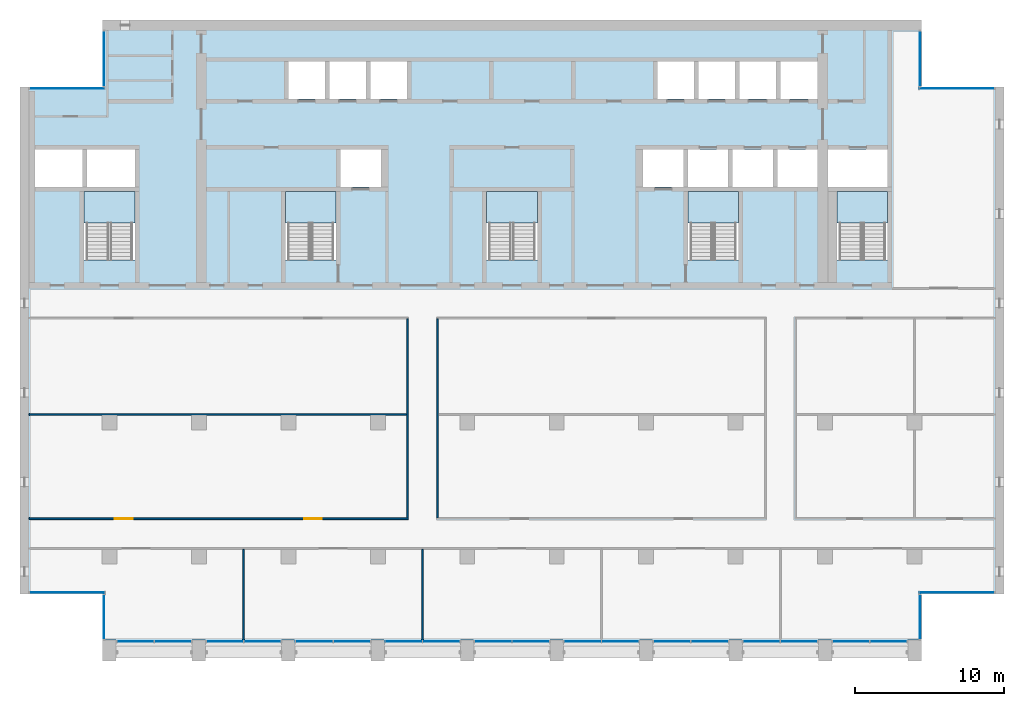
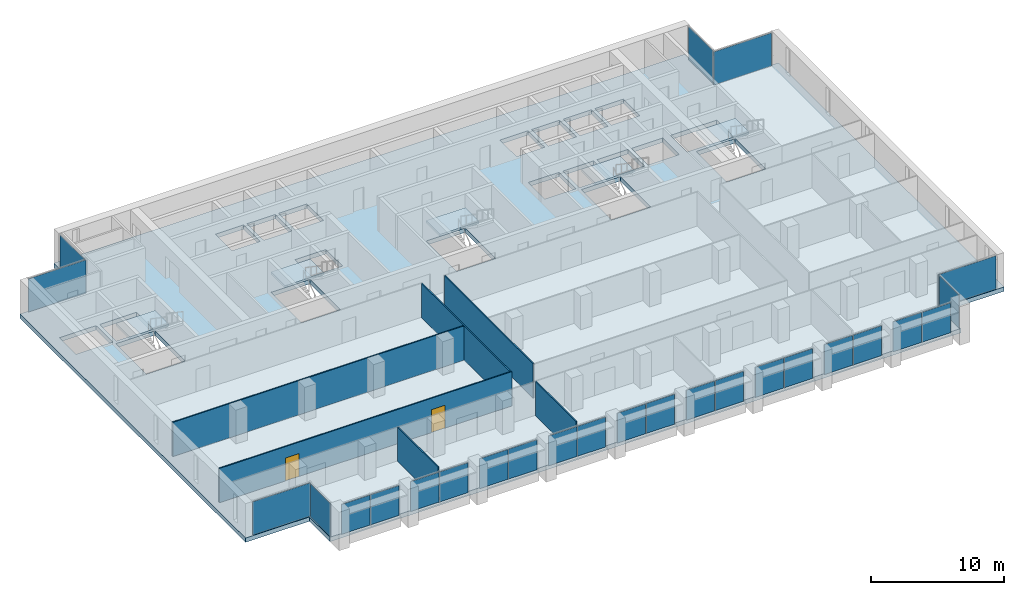
# One storey, part 7 of 16: 26 plates, 6 slabs, 6 walls, 2 doors, 2 openings, 22 elements without a shape of their own.
"""IFC4 building model written with IfcOpenShell, lengths in metres."""

from ifc_helpers import new_model, si_unit, direction, frame, frame_2d, origin, origin_2d, place, context, subcontext, project, spatial, polyline, rectangle, outline, extrude, material, layer, layer_set, type_object, element, fill, aggregate, save


model = new_model("IFC4")

# Units and contexts
model_context = context("Model", 3, precision=1e-05, world=origin(), true_north=direction((0.0, 1.0)))
body_context = subcontext(model_context, "Body", "Model", "MODEL_VIEW")
ifc_project = project(units=[si_unit("LENGTHUNIT", "METRE"), si_unit("AREAUNIT", "SQUARE_METRE"), si_unit("VOLUMEUNIT", "CUBIC_METRE"), si_unit("PLANEANGLEUNIT", "RADIAN"), si_unit("MASSUNIT", "GRAM", prefix="KILO")], contexts=[model_context])

# Site, building, storey
site_placement = place(None, origin())
site = spatial("IfcSite", under=ifc_project, at=site_placement, CompositionType="ELEMENT")
building_placement = place(site_placement, origin())
building = spatial("IfcBuilding", under=site, at=building_placement, Name="Calvaro Tower", CompositionType="ELEMENT")
storey_placement = place(building_placement, frame((0.0, 0.0, 223.0)))
storey = spatial("IfcBuildingStorey", under=building, at=storey_placement, Name="L56", CompositionType="ELEMENT", Elevation=223.0)

# Slab
ifc_material_1 = material(Name="Concrete C40/50", Category="concrete")
ifc_layer_1 = layer(ifc_material_1, 0.39990234375)
ifc_layer_set_1 = layer_set([ifc_layer_1], Name="Concrete C40/50")
slab_type_1 = type_object("IfcSlabType", Name="Floor slab 400 C40/50", PredefinedType="FLOOR", material=ifc_layer_set_1)
slab_1_placement = place(storey_placement, frame((0.0, 0.0, -0.39990234375)))
element("IfcSlab", 1, at=slab_1_placement, inside=storey, type_object=slab_type_1, Name="Floor slab", PredefinedType="FLOOR", context=body_context, shape_type="SweptSolid", body=[
    extrude(outline(polyline([(66.449951171875, 7.5), (66.449951171875, 4.39990234375), (11.550048828125, 4.39990234375), (11.550048828125, 7.5), (6.0, 7.5), (6.0, 41.5), (11.550048828125, 41.5), (11.550048828125, 46.0), (66.449951171875, 46.0), (66.449951171875, 41.5), (72.0, 41.5), (72.0, 7.5), (66.449951171875, 7.5)]), holes=[polyline([(10.300048828125, 29.909912109375), (10.300048828125, 34.5), (12.0, 34.5), (13.699951171875, 34.5), (13.699951171875, 29.909912109375), (12.0, 29.909912109375), (10.300048828125, 29.909912109375)]), polyline([(23.800048828125, 29.909912109375), (23.800048828125, 34.5), (25.5, 34.5), (27.199951171875, 34.5), (27.199951171875, 29.909912109375), (25.5, 29.909912109375), (23.800048828125, 29.909912109375)]), polyline([(37.300048828125, 29.909912109375), (37.300048828125, 34.5), (39.0, 34.5), (40.699951171875, 34.5), (40.699951171875, 29.909912109375), (39.0, 29.909912109375), (37.300048828125, 29.909912109375)]), polyline([(50.800048828125, 29.909912109375), (50.800048828125, 34.5), (52.5, 34.5), (54.199951171875, 34.5), (54.199951171875, 29.909912109375), (52.5, 29.909912109375), (50.800048828125, 29.909912109375)]), polyline([(60.800048828125, 29.909912109375), (60.800048828125, 34.5), (62.5, 34.5), (64.199951171875, 34.5), (64.199951171875, 29.909912109375), (62.5, 29.909912109375), (60.800048828125, 29.909912109375)]), polyline([(50.800048828125, 34.800048828125), (53.5, 34.800048828125), (53.5, 37.300048828125), (50.800048828125, 37.300048828125), (50.800048828125, 34.800048828125)]), polyline([(53.800048828125, 34.800048828125), (56.5, 34.800048828125), (56.5, 37.300048828125), (53.800048828125, 37.300048828125), (53.800048828125, 34.800048828125)]), polyline([(56.800048828125, 34.800048828125), (59.5, 34.800048828125), (59.5, 37.300048828125), (56.800048828125, 37.300048828125), (56.800048828125, 34.800048828125)]), polyline([(24.0, 40.699951171875), (26.449951171875, 40.699951171875), (26.449951171875, 43.199951171875), (24.0, 43.199951171875), (24.0, 40.699951171875)]), polyline([(26.75, 40.699951171875), (29.199951171875, 40.699951171875), (29.199951171875, 43.199951171875), (26.75, 43.199951171875), (26.75, 40.699951171875)]), polyline([(29.5, 40.699951171875), (31.949951171875, 40.699951171875), (31.949951171875, 43.199951171875), (29.5, 43.199951171875), (29.5, 40.699951171875)]), polyline([(48.75, 40.699951171875), (51.199951171875, 40.699951171875), (51.199951171875, 43.199951171875), (48.75, 43.199951171875), (48.75, 40.699951171875)]), polyline([(51.5, 40.699951171875), (53.949951171875, 40.699951171875), (53.949951171875, 43.199951171875), (51.5, 43.199951171875), (51.5, 40.699951171875)]), polyline([(54.25, 40.699951171875), (56.699951171875, 40.699951171875), (56.699951171875, 43.199951171875), (54.25, 43.199951171875), (54.25, 40.699951171875)]), polyline([(57.0, 40.699951171875), (59.5, 40.699951171875), (59.5, 43.199951171875), (57.0, 43.199951171875), (57.0, 40.699951171875)]), polyline([(7.0, 34.800048828125), (10.199951171875, 34.800048828125), (10.199951171875, 37.300048828125), (7.0, 37.300048828125), (7.0, 34.800048828125)]), polyline([(10.5, 34.800048828125), (13.699951171875, 34.800048828125), (13.699951171875, 37.300048828125), (10.5, 37.300048828125), (10.5, 34.800048828125)]), polyline([(60.199951171875, 34.800048828125), (64.199951171875, 34.800048828125), (64.199951171875, 37.300048828125), (60.199951171875, 37.300048828125), (60.199951171875, 34.800048828125)]), polyline([(27.5, 34.800048828125), (30.199951171875, 34.800048828125), (30.199951171875, 37.300048828125), (27.5, 37.300048828125), (27.5, 34.800048828125)]), polyline([(47.800048828125, 34.800048828125), (50.5, 34.800048828125), (50.5, 37.300048828125), (47.800048828125, 37.300048828125), (47.800048828125, 34.800048828125)])]), origin(), (0.0, 0.0, 1.0), 0.39990234375),
])

# Curtain wall, plates
ifc_material_2 = material(Name="Anodised aluminium", Category="aluminium")
curtain_wall_type = type_object("IfcCurtainWallType", Name="Office curtain wall, upper zone", PredefinedType="NOTDEFINED", material=ifc_material_2)
curtain_wall_1_placement = place(storey_placement, origin())
curtain_wall_1 = element("IfcCurtainWall", 2, at=curtain_wall_1_placement, inside=storey, type_object=curtain_wall_type, Name="CW3 south curtain wall", PredefinedType="NOTDEFINED")
ifc_material_3 = material(Name="Glass", Category="glass")
ifc_layer_2 = layer(ifc_material_3, 0.035888671875)
ifc_layer_set_2 = layer_set([ifc_layer_2], Name="Glass")
plate_type = type_object("IfcPlateType", Name="Glass panel S3 36", PredefinedType="CURTAIN_PANEL", material=ifc_layer_set_2)
plate_1_placement = place(storey_placement, frame((13.739990234375, 4.31005859375, 0.0), z_axis=(0.0, 0.0, 1.0), x_axis=(1.0, 0.0, 0.0)))
plate_1 = element("IfcPlate", 3, at=plate_1_placement, type_object=plate_type, Name="CW3 glass panel 1.1", PredefinedType="CURTAIN_PANEL", context=body_context, shape_type="SweptSolid", body=[
    extrude(rectangle(XDim=2.4599609375, YDim=0.035888671875, at=origin_2d()), origin(), (0.0, 0.0, 1.0), 2.75),
])
plate_2_placement = place(storey_placement, frame((16.260009765625, 4.31005859375, 0.0), z_axis=(0.0, 0.0, 1.0), x_axis=(1.0, 0.0, 0.0)))
plate_2 = element("IfcPlate", 4, at=plate_2_placement, type_object=plate_type, Name="CW3 glass panel 2.1", PredefinedType="CURTAIN_PANEL", context=body_context, shape_type="SweptSolid", body=[
    extrude(rectangle(XDim=2.4599609375, YDim=0.035888671875, at=origin_2d()), origin(), (0.0, 0.0, 1.0), 2.75),
])
aggregate(curtain_wall_1, [plate_1, plate_2])

curtain_wall_2_placement = place(storey_placement, origin())
curtain_wall_2 = element("IfcCurtainWall", 5, at=curtain_wall_2_placement, inside=storey, type_object=curtain_wall_type, Name="CW3 south curtain wall", PredefinedType="NOTDEFINED")
plate_3_placement = place(storey_placement, frame((19.739990234375, 4.31005859375, 0.0), z_axis=(0.0, 0.0, 1.0), x_axis=(1.0, 0.0, 0.0)))
plate_3 = element("IfcPlate", 6, at=plate_3_placement, type_object=plate_type, Name="CW3 glass panel 1.1", PredefinedType="CURTAIN_PANEL", context=body_context, shape_type="SweptSolid", body=[
    extrude(rectangle(XDim=2.4599609375, YDim=0.035888671875, at=origin_2d()), origin(), (0.0, 0.0, 1.0), 2.75),
])
plate_4_placement = place(storey_placement, frame((22.260009765625, 4.31005859375, 0.0), z_axis=(0.0, 0.0, 1.0), x_axis=(1.0, 0.0, 0.0)))
plate_4 = element("IfcPlate", 7, at=plate_4_placement, type_object=plate_type, Name="CW3 glass panel 2.1", PredefinedType="CURTAIN_PANEL", context=body_context, shape_type="SweptSolid", body=[
    extrude(rectangle(XDim=2.4599609375, YDim=0.035888671875, at=origin_2d()), origin(), (0.0, 0.0, 1.0), 2.75),
])
aggregate(curtain_wall_2, [plate_3, plate_4])

curtain_wall_3_placement = place(storey_placement, origin())
curtain_wall_3 = element("IfcCurtainWall", 8, at=curtain_wall_3_placement, inside=storey, type_object=curtain_wall_type, Name="CW3 south curtain wall", PredefinedType="NOTDEFINED")
plate_5_placement = place(storey_placement, frame((25.739990234375, 4.31005859375, 0.0), z_axis=(0.0, 0.0, 1.0), x_axis=(1.0, 0.0, 0.0)))
plate_5 = element("IfcPlate", 9, at=plate_5_placement, type_object=plate_type, Name="CW3 glass panel 1.1", PredefinedType="CURTAIN_PANEL", context=body_context, shape_type="SweptSolid", body=[
    extrude(rectangle(XDim=2.4599609375, YDim=0.035888671875, at=origin_2d()), origin(), (0.0, 0.0, 1.0), 2.75),
])
plate_6_placement = place(storey_placement, frame((28.260009765625, 4.31005859375, 0.0), z_axis=(0.0, 0.0, 1.0), x_axis=(1.0, 0.0, 0.0)))
plate_6 = element("IfcPlate", 10, at=plate_6_placement, type_object=plate_type, Name="CW3 glass panel 2.1", PredefinedType="CURTAIN_PANEL", context=body_context, shape_type="SweptSolid", body=[
    extrude(rectangle(XDim=2.4599609375, YDim=0.035888671875, at=origin_2d()), origin(), (0.0, 0.0, 1.0), 2.75),
])
aggregate(curtain_wall_3, [plate_5, plate_6])

curtain_wall_4_placement = place(storey_placement, origin())
curtain_wall_4 = element("IfcCurtainWall", 11, at=curtain_wall_4_placement, inside=storey, type_object=curtain_wall_type, Name="CW3 south curtain wall", PredefinedType="NOTDEFINED")
plate_7_placement = place(storey_placement, frame((31.739990234375, 4.31005859375, 0.0), z_axis=(0.0, 0.0, 1.0), x_axis=(1.0, 0.0, 0.0)))
plate_7 = element("IfcPlate", 12, at=plate_7_placement, type_object=plate_type, Name="CW3 glass panel 1.1", PredefinedType="CURTAIN_PANEL", context=body_context, shape_type="SweptSolid", body=[
    extrude(rectangle(XDim=2.4599609375, YDim=0.035888671875, at=origin_2d()), origin(), (0.0, 0.0, 1.0), 2.75),
])
plate_8_placement = place(storey_placement, frame((34.260009765625, 4.31005859375, 0.0), z_axis=(0.0, 0.0, 1.0), x_axis=(1.0, 0.0, 0.0)))
plate_8 = element("IfcPlate", 13, at=plate_8_placement, type_object=plate_type, Name="CW3 glass panel 2.1", PredefinedType="CURTAIN_PANEL", context=body_context, shape_type="SweptSolid", body=[
    extrude(rectangle(XDim=2.4599609375, YDim=0.035888671875, at=origin_2d()), origin(), (0.0, 0.0, 1.0), 2.75),
])
aggregate(curtain_wall_4, [plate_7, plate_8])

curtain_wall_5_placement = place(storey_placement, origin())
curtain_wall_5 = element("IfcCurtainWall", 14, at=curtain_wall_5_placement, inside=storey, type_object=curtain_wall_type, Name="CW3 south curtain wall", PredefinedType="NOTDEFINED")
plate_9_placement = place(storey_placement, frame((37.739990234375, 4.31005859375, 0.0), z_axis=(0.0, 0.0, 1.0), x_axis=(1.0, 0.0, 0.0)))
plate_9 = element("IfcPlate", 15, at=plate_9_placement, type_object=plate_type, Name="CW3 glass panel 1.1", PredefinedType="CURTAIN_PANEL", context=body_context, shape_type="SweptSolid", body=[
    extrude(rectangle(XDim=2.4599609375, YDim=0.035888671875, at=origin_2d()), origin(), (0.0, 0.0, 1.0), 2.75),
])
plate_10_placement = place(storey_placement, frame((40.260009765625, 4.31005859375, 0.0), z_axis=(0.0, 0.0, 1.0), x_axis=(1.0, 0.0, 0.0)))
plate_10 = element("IfcPlate", 16, at=plate_10_placement, type_object=plate_type, Name="CW3 glass panel 2.1", PredefinedType="CURTAIN_PANEL", context=body_context, shape_type="SweptSolid", body=[
    extrude(rectangle(XDim=2.4599609375, YDim=0.035888671875, at=origin_2d()), origin(), (0.0, 0.0, 1.0), 2.75),
])
aggregate(curtain_wall_5, [plate_9, plate_10])

curtain_wall_6_placement = place(storey_placement, origin())
curtain_wall_6 = element("IfcCurtainWall", 17, at=curtain_wall_6_placement, inside=storey, type_object=curtain_wall_type, Name="CW3 south curtain wall", PredefinedType="NOTDEFINED")
plate_11_placement = place(storey_placement, frame((43.739990234375, 4.31005859375, 0.0), z_axis=(0.0, 0.0, 1.0), x_axis=(1.0, 0.0, 0.0)))
plate_11 = element("IfcPlate", 18, at=plate_11_placement, type_object=plate_type, Name="CW3 glass panel 1.1", PredefinedType="CURTAIN_PANEL", context=body_context, shape_type="SweptSolid", body=[
    extrude(rectangle(XDim=2.4599609375, YDim=0.035888671875, at=origin_2d()), origin(), (0.0, 0.0, 1.0), 2.75),
])
plate_12_placement = place(storey_placement, frame((46.260009765625, 4.31005859375, 0.0), z_axis=(0.0, 0.0, 1.0), x_axis=(1.0, 0.0, 0.0)))
plate_12 = element("IfcPlate", 19, at=plate_12_placement, type_object=plate_type, Name="CW3 glass panel 2.1", PredefinedType="CURTAIN_PANEL", context=body_context, shape_type="SweptSolid", body=[
    extrude(rectangle(XDim=2.4599609375, YDim=0.035888671875, at=origin_2d()), origin(), (0.0, 0.0, 1.0), 2.75),
])
aggregate(curtain_wall_6, [plate_11, plate_12])

curtain_wall_7_placement = place(storey_placement, origin())
curtain_wall_7 = element("IfcCurtainWall", 20, at=curtain_wall_7_placement, inside=storey, type_object=curtain_wall_type, Name="CW3 south curtain wall", PredefinedType="NOTDEFINED")
plate_13_placement = place(storey_placement, frame((49.739990234375, 4.31005859375, 0.0), z_axis=(0.0, 0.0, 1.0), x_axis=(1.0, 0.0, 0.0)))
plate_13 = element("IfcPlate", 21, at=plate_13_placement, type_object=plate_type, Name="CW3 glass panel 1.1", PredefinedType="CURTAIN_PANEL", context=body_context, shape_type="SweptSolid", body=[
    extrude(rectangle(XDim=2.4599609375, YDim=0.035888671875, at=origin_2d()), origin(), (0.0, 0.0, 1.0), 2.75),
])
plate_14_placement = place(storey_placement, frame((52.260009765625, 4.31005859375, 0.0), z_axis=(0.0, 0.0, 1.0), x_axis=(1.0, 0.0, 0.0)))
plate_14 = element("IfcPlate", 22, at=plate_14_placement, type_object=plate_type, Name="CW3 glass panel 2.1", PredefinedType="CURTAIN_PANEL", context=body_context, shape_type="SweptSolid", body=[
    extrude(rectangle(XDim=2.4599609375, YDim=0.035888671875, at=origin_2d()), origin(), (0.0, 0.0, 1.0), 2.75),
])
aggregate(curtain_wall_7, [plate_13, plate_14])

curtain_wall_8_placement = place(storey_placement, origin())
curtain_wall_8 = element("IfcCurtainWall", 23, at=curtain_wall_8_placement, inside=storey, type_object=curtain_wall_type, Name="CW3 south curtain wall", PredefinedType="NOTDEFINED")
plate_15_placement = place(storey_placement, frame((55.739990234375, 4.31005859375, 0.0), z_axis=(0.0, 0.0, 1.0), x_axis=(1.0, 0.0, 0.0)))
plate_15 = element("IfcPlate", 24, at=plate_15_placement, type_object=plate_type, Name="CW3 glass panel 1.1", PredefinedType="CURTAIN_PANEL", context=body_context, shape_type="SweptSolid", body=[
    extrude(rectangle(XDim=2.4599609375, YDim=0.035888671875, at=origin_2d()), origin(), (0.0, 0.0, 1.0), 2.75),
])
plate_16_placement = place(storey_placement, frame((58.260009765625, 4.31005859375, 0.0), z_axis=(0.0, 0.0, 1.0), x_axis=(1.0, 0.0, 0.0)))
plate_16 = element("IfcPlate", 25, at=plate_16_placement, type_object=plate_type, Name="CW3 glass panel 2.1", PredefinedType="CURTAIN_PANEL", context=body_context, shape_type="SweptSolid", body=[
    extrude(rectangle(XDim=2.4599609375, YDim=0.035888671875, at=origin_2d()), origin(), (0.0, 0.0, 1.0), 2.75),
])
aggregate(curtain_wall_8, [plate_15, plate_16])

curtain_wall_9_placement = place(storey_placement, origin())
curtain_wall_9 = element("IfcCurtainWall", 26, at=curtain_wall_9_placement, inside=storey, type_object=curtain_wall_type, Name="CW3 south curtain wall", PredefinedType="NOTDEFINED")
plate_17_placement = place(storey_placement, frame((61.739990234375, 4.31005859375, 0.0), z_axis=(0.0, 0.0, 1.0), x_axis=(1.0, 0.0, 0.0)))
plate_17 = element("IfcPlate", 27, at=plate_17_placement, type_object=plate_type, Name="CW3 glass panel 1.1", PredefinedType="CURTAIN_PANEL", context=body_context, shape_type="SweptSolid", body=[
    extrude(rectangle(XDim=2.4599609375, YDim=0.035888671875, at=origin_2d()), origin(), (0.0, 0.0, 1.0), 2.75),
])
plate_18_placement = place(storey_placement, frame((64.260009765625, 4.31005859375, 0.0), z_axis=(0.0, 0.0, 1.0), x_axis=(1.0, 0.0, 0.0)))
plate_18 = element("IfcPlate", 28, at=plate_18_placement, type_object=plate_type, Name="CW3 glass panel 2.1", PredefinedType="CURTAIN_PANEL", context=body_context, shape_type="SweptSolid", body=[
    extrude(rectangle(XDim=2.4599609375, YDim=0.035888671875, at=origin_2d()), origin(), (0.0, 0.0, 1.0), 2.75),
])
aggregate(curtain_wall_9, [plate_17, plate_18])

# Curtain wall, plate
curtain_wall_10_placement = place(storey_placement, origin())
curtain_wall_10 = element("IfcCurtainWall", 29, at=curtain_wall_10_placement, inside=storey, type_object=curtain_wall_type, Name="CW3 corner curtain wall", PredefinedType="NOTDEFINED")
plate_19_placement = place(storey_placement, frame((11.639892578125, 5.949951171875, 0.0), z_axis=(0.0, 0.0, 1.0), x_axis=(0.0, 1.0, 0.0)))
plate_19 = element("IfcPlate", 30, at=plate_19_placement, type_object=plate_type, Name="CW3 glass panel 1.1", PredefinedType="CURTAIN_PANEL", context=body_context, shape_type="SweptSolid", body=[
    extrude(rectangle(XDim=2.97998046875, YDim=0.035888671875, at=origin_2d()), origin(), (0.0, 0.0, 1.0), 3.050048828125),
])
aggregate(curtain_wall_10, [plate_19])

curtain_wall_11_placement = place(storey_placement, origin())
curtain_wall_11 = element("IfcCurtainWall", 31, at=curtain_wall_11_placement, inside=storey, type_object=curtain_wall_type, Name="CW3 corner curtain wall", PredefinedType="NOTDEFINED")
plate_20_placement = place(storey_placement, frame((9.1650390625, 7.590087890625, 0.0), z_axis=(0.0, 0.0, 1.0), x_axis=(1.0, 0.0, 0.0)))
plate_20 = element("IfcPlate", 32, at=plate_20_placement, type_object=plate_type, Name="CW3 glass panel 1.1", PredefinedType="CURTAIN_PANEL", context=body_context, shape_type="SweptSolid", body=[
    extrude(rectangle(XDim=5.010009765625, YDim=0.035888671875, at=origin_2d()), origin(), (0.0, 0.0, 1.0), 3.050048828125),
])
aggregate(curtain_wall_11, [plate_20])

curtain_wall_12_placement = place(storey_placement, origin())
curtain_wall_12 = element("IfcCurtainWall", 33, at=curtain_wall_12_placement, inside=storey, type_object=curtain_wall_type, Name="CW3 corner curtain wall", PredefinedType="NOTDEFINED")
plate_21_placement = place(storey_placement, frame((11.639892578125, 43.39990234375, 0.0), z_axis=(0.0, 0.0, 1.0), x_axis=(0.0, 1.0, 0.0)))
plate_21 = element("IfcPlate", 34, at=plate_21_placement, type_object=plate_type, Name="CW3 glass panel 1.1", PredefinedType="CURTAIN_PANEL", context=body_context, shape_type="SweptSolid", body=[
    extrude(rectangle(XDim=3.679931640625, YDim=0.035888671875, at=origin_2d()), origin(), (0.0, 0.0, 1.0), 3.050048828125),
])
aggregate(curtain_wall_12, [plate_21])

curtain_wall_13_placement = place(storey_placement, origin())
curtain_wall_13 = element("IfcCurtainWall", 35, at=curtain_wall_13_placement, inside=storey, type_object=curtain_wall_type, Name="CW3 corner curtain wall", PredefinedType="NOTDEFINED")
plate_22_placement = place(storey_placement, frame((9.1650390625, 41.409912109375, 0.0), z_axis=(0.0, 0.0, 1.0), x_axis=(1.0, 0.0, 0.0)))
plate_22 = element("IfcPlate", 36, at=plate_22_placement, type_object=plate_type, Name="CW3 glass panel 1.1", PredefinedType="CURTAIN_PANEL", context=body_context, shape_type="SweptSolid", body=[
    extrude(rectangle(XDim=5.010009765625, YDim=0.035888671875, at=origin_2d()), origin(), (0.0, 0.0, 1.0), 3.050048828125),
])
aggregate(curtain_wall_13, [plate_22])

curtain_wall_14_placement = place(storey_placement, origin())
curtain_wall_14 = element("IfcCurtainWall", 37, at=curtain_wall_14_placement, inside=storey, type_object=curtain_wall_type, Name="CW3 corner curtain wall", PredefinedType="NOTDEFINED")
plate_23_placement = place(storey_placement, frame((66.360107421875, 5.949951171875, 0.0), z_axis=(0.0, 0.0, 1.0), x_axis=(0.0, 1.0, 0.0)))
plate_23 = element("IfcPlate", 38, at=plate_23_placement, type_object=plate_type, Name="CW3 glass panel 1.1", PredefinedType="CURTAIN_PANEL", context=body_context, shape_type="SweptSolid", body=[
    extrude(rectangle(XDim=2.97998046875, YDim=0.035888671875, at=origin_2d()), origin(), (0.0, 0.0, 1.0), 3.050048828125),
])
aggregate(curtain_wall_14, [plate_23])

curtain_wall_15_placement = place(storey_placement, origin())
curtain_wall_15 = element("IfcCurtainWall", 39, at=curtain_wall_15_placement, inside=storey, type_object=curtain_wall_type, Name="CW3 corner curtain wall", PredefinedType="NOTDEFINED")
plate_24_placement = place(storey_placement, frame((68.8349609375, 7.590087890625, 0.0), z_axis=(0.0, 0.0, 1.0), x_axis=(1.0, 0.0, 0.0)))
plate_24 = element("IfcPlate", 40, at=plate_24_placement, type_object=plate_type, Name="CW3 glass panel 1.1", PredefinedType="CURTAIN_PANEL", context=body_context, shape_type="SweptSolid", body=[
    extrude(rectangle(XDim=5.010009765625, YDim=0.035888671875, at=origin_2d()), origin(), (0.0, 0.0, 1.0), 3.050048828125),
])
aggregate(curtain_wall_15, [plate_24])

curtain_wall_16_placement = place(storey_placement, origin())
curtain_wall_16 = element("IfcCurtainWall", 41, at=curtain_wall_16_placement, inside=storey, type_object=curtain_wall_type, Name="CW3 corner curtain wall", PredefinedType="NOTDEFINED")
plate_25_placement = place(storey_placement, frame((66.360107421875, 43.39990234375, 0.0), z_axis=(0.0, 0.0, 1.0), x_axis=(0.0, 1.0, 0.0)))
plate_25 = element("IfcPlate", 42, at=plate_25_placement, type_object=plate_type, Name="CW3 glass panel 1.1", PredefinedType="CURTAIN_PANEL", context=body_context, shape_type="SweptSolid", body=[
    extrude(rectangle(XDim=3.679931640625, YDim=0.035888671875, at=origin_2d()), origin(), (0.0, 0.0, 1.0), 3.050048828125),
])
aggregate(curtain_wall_16, [plate_25])

curtain_wall_17_placement = place(storey_placement, origin())
curtain_wall_17 = element("IfcCurtainWall", 43, at=curtain_wall_17_placement, inside=storey, type_object=curtain_wall_type, Name="CW3 corner curtain wall", PredefinedType="NOTDEFINED")
plate_26_placement = place(storey_placement, frame((68.8349609375, 41.409912109375, 0.0), z_axis=(0.0, 0.0, 1.0), x_axis=(1.0, 0.0, 0.0)))
plate_26 = element("IfcPlate", 44, at=plate_26_placement, type_object=plate_type, Name="CW3 glass panel 1.1", PredefinedType="CURTAIN_PANEL", context=body_context, shape_type="SweptSolid", body=[
    extrude(rectangle(XDim=5.010009765625, YDim=0.035888671875, at=origin_2d()), origin(), (0.0, 0.0, 1.0), 3.050048828125),
])
aggregate(curtain_wall_17, [plate_26])

# Stair, slab
ifc_material_4 = material(Name="Concrete C40/50", Category="concrete")
stair_type = type_object("IfcStairType", Name="Exit stair 1400 2 flights", PredefinedType="HALF_TURN_STAIR", material=ifc_material_4)
stair_1_placement = place(storey_placement, origin())
stair_1 = element("IfcStair", 45, at=stair_1_placement, inside=storey, type_object=stair_type, Name="Exit stair S1", PredefinedType="HALF_TURN_STAIR")
ifc_material_5 = material(Name="Concrete C40/50", Category="concrete")
ifc_layer_3 = layer(ifc_material_5, 0.199951171875)
ifc_layer_set_3 = layer_set([ifc_layer_3], Name="Concrete C40/50")
slab_type_2 = type_object("IfcSlabType", Name="Stair landing", PredefinedType="LANDING", material=ifc_layer_set_3)
slab_2_placement = place(storey_placement, frame((0.0, 0.0, 1.675048828125)))
slab_2 = element("IfcSlab", 46, at=slab_2_placement, type_object=slab_type_2, Name="Exit stair 1, landing 1", PredefinedType="LANDING", context=body_context, shape_type="SweptSolid", body=[
    extrude(outline(polyline([(11.89990234375, 32.389892578125), (10.5, 32.389892578125), (10.5, 32.39990234375), (10.300048828125, 32.39990234375), (10.300048828125, 34.5), (10.5, 34.5), (11.89990234375, 34.5), (12.10009765625, 34.5), (13.5, 34.5), (13.699951171875, 34.5), (13.699951171875, 32.39990234375), (13.5, 32.39990234375), (13.5, 32.389892578125), (12.10009765625, 32.389892578125), (12.10009765625, 32.39990234375), (11.89990234375, 32.39990234375), (11.89990234375, 32.389892578125)])), origin(), (0.0, 0.0, 1.0), 0.199951171875),
])
aggregate(stair_1, [slab_2])

stair_2_placement = place(storey_placement, origin())
stair_2 = element("IfcStair", 47, at=stair_2_placement, inside=storey, type_object=stair_type, Name="Exit stair S2", PredefinedType="HALF_TURN_STAIR")
slab_3_placement = place(storey_placement, frame((0.0, 0.0, 1.675048828125)))
slab_3 = element("IfcSlab", 48, at=slab_3_placement, type_object=slab_type_2, Name="Exit stair 2, landing 1", PredefinedType="LANDING", context=body_context, shape_type="SweptSolid", body=[
    extrude(outline(polyline([(25.39990234375, 32.389892578125), (24.0, 32.389892578125), (24.0, 32.39990234375), (23.800048828125, 32.39990234375), (23.800048828125, 34.5), (24.0, 34.5), (25.39990234375, 34.5), (25.60009765625, 34.5), (27.0, 34.5), (27.199951171875, 34.5), (27.199951171875, 32.39990234375), (27.0, 32.39990234375), (27.0, 32.389892578125), (25.60009765625, 32.389892578125), (25.60009765625, 32.39990234375), (25.39990234375, 32.39990234375), (25.39990234375, 32.389892578125)])), origin(), (0.0, 0.0, 1.0), 0.199951171875),
])
aggregate(stair_2, [slab_3])

stair_3_placement = place(storey_placement, origin())
stair_3 = element("IfcStair", 49, at=stair_3_placement, inside=storey, type_object=stair_type, Name="Exit stair S3", PredefinedType="HALF_TURN_STAIR")
slab_4_placement = place(storey_placement, frame((0.0, 0.0, 1.675048828125)))
slab_4 = element("IfcSlab", 50, at=slab_4_placement, type_object=slab_type_2, Name="Exit stair 3, landing 1", PredefinedType="LANDING", context=body_context, shape_type="SweptSolid", body=[
    extrude(outline(polyline([(38.89990234375, 32.389892578125), (37.5, 32.389892578125), (37.5, 32.39990234375), (37.300048828125, 32.39990234375), (37.300048828125, 34.5), (37.5, 34.5), (38.89990234375, 34.5), (39.10009765625, 34.5), (40.5, 34.5), (40.699951171875, 34.5), (40.699951171875, 32.39990234375), (40.5, 32.39990234375), (40.5, 32.389892578125), (39.10009765625, 32.389892578125), (39.10009765625, 32.39990234375), (38.89990234375, 32.39990234375), (38.89990234375, 32.389892578125)])), origin(), (0.0, 0.0, 1.0), 0.199951171875),
])
aggregate(stair_3, [slab_4])

stair_4_placement = place(storey_placement, origin())
stair_4 = element("IfcStair", 51, at=stair_4_placement, inside=storey, type_object=stair_type, Name="Exit stair S4", PredefinedType="HALF_TURN_STAIR")
slab_5_placement = place(storey_placement, frame((0.0, 0.0, 1.675048828125)))
slab_5 = element("IfcSlab", 52, at=slab_5_placement, type_object=slab_type_2, Name="Exit stair 4, landing 1", PredefinedType="LANDING", context=body_context, shape_type="SweptSolid", body=[
    extrude(outline(polyline([(52.39990234375, 32.389892578125), (51.0, 32.389892578125), (51.0, 32.39990234375), (50.800048828125, 32.39990234375), (50.800048828125, 34.5), (51.0, 34.5), (52.39990234375, 34.5), (52.60009765625, 34.5), (54.0, 34.5), (54.199951171875, 34.5), (54.199951171875, 32.39990234375), (54.0, 32.39990234375), (54.0, 32.389892578125), (52.60009765625, 32.389892578125), (52.60009765625, 32.39990234375), (52.39990234375, 32.39990234375), (52.39990234375, 32.389892578125)])), origin(), (0.0, 0.0, 1.0), 0.199951171875),
])
aggregate(stair_4, [slab_5])

stair_5_placement = place(storey_placement, origin())
stair_5 = element("IfcStair", 53, at=stair_5_placement, inside=storey, type_object=stair_type, Name="Exit stair S5", PredefinedType="HALF_TURN_STAIR")
slab_6_placement = place(storey_placement, frame((0.0, 0.0, 1.675048828125)))
slab_6 = element("IfcSlab", 54, at=slab_6_placement, type_object=slab_type_2, Name="Exit stair 5, landing 1", PredefinedType="LANDING", context=body_context, shape_type="SweptSolid", body=[
    extrude(outline(polyline([(62.39990234375, 32.389892578125), (61.0, 32.389892578125), (61.0, 32.39990234375), (60.800048828125, 32.39990234375), (60.800048828125, 34.5), (61.0, 34.5), (62.39990234375, 34.5), (62.60009765625, 34.5), (64.0, 34.5), (64.199951171875, 34.5), (64.199951171875, 32.39990234375), (64.0, 32.39990234375), (64.0, 32.389892578125), (62.60009765625, 32.389892578125), (62.60009765625, 32.39990234375), (62.39990234375, 32.39990234375), (62.39990234375, 32.389892578125)])), origin(), (0.0, 0.0, 1.0), 0.199951171875),
])
aggregate(stair_5, [slab_6])

# Wall, openings, doors
ifc_material_6 = material(Name="Plasterboard on steel studs", Category="steel")
ifc_layer_4 = layer(ifc_material_6, 0.10009765625)
ifc_layer_set_4 = layer_set([ifc_layer_4], Name="Plasterboard on steel studs")
wall_type = type_object("IfcWallType", Name="Partition 100", PredefinedType="PARTITIONING", material=ifc_layer_set_4)
wall_1_placement = place(storey_placement, frame((6.60009765625, 12.550048828125, 0.0), z_axis=(0.0, 0.0, 1.0), x_axis=(1.0, 0.0, 0.0)))
wall_1 = element("IfcWall", 55, at=wall_1_placement, inside=storey, type_object=wall_type, Name="Partition T32.W002", PredefinedType="PARTITIONING", context=body_context, shape_type="SweptSolid", body=[
    extrude(rectangle(XDim=25.449951171875, YDim=0.10009765625, at=frame_2d((12.72509765625, 0.0))), origin(), (0.0, 0.0, 1.0), 3.14990234375),
])
opening_1_placement = place(wall_1_placement, frame((5.75, 0.0, 0.0)))
opening_1 = element("IfcOpeningElement", 56, at=opening_1_placement, cuts=wall_1, Name="Opening T32.006", PredefinedType="OPENING", context=body_context, shape_type="SweptSolid", body=[
    extrude(rectangle(XDim=1.199951171875, YDim=2.10009765625, at=frame_2d((0.60009765625, 1.050048828125))), frame((0.0, 0.06005859375, 0.0), z_axis=(0.0, -1.0, 0.0), x_axis=(1.0, 0.0, 0.0)), (0.0, 0.0, 1.0), 0.1201171875),
])
opening_2_placement = place(wall_1_placement, frame((18.449951171875, 0.0, 0.0)))
opening_2 = element("IfcOpeningElement", 57, at=opening_2_placement, cuts=wall_1, Name="Opening T32.007", PredefinedType="OPENING", context=body_context, shape_type="SweptSolid", body=[
    extrude(rectangle(XDim=1.199951171875, YDim=2.10009765625, at=frame_2d((0.60009765625, 1.050048828125))), frame((0.0, 0.06005859375, 0.0), z_axis=(0.0, -1.0, 0.0), x_axis=(1.0, 0.0, 0.0)), (0.0, 0.0, 1.0), 0.1201171875),
])
ifc_material_7 = material(Name="Timber", Category="wood")
door_type = type_object("IfcDoorType", Name="Internal single door 1200 x 2100", OperationType="SINGLE_SWING_LEFT", PredefinedType="DOOR", material=ifc_material_7)
door_1_placement = place(opening_1_placement, origin())
door_1 = element("IfcDoor", 58, at=door_1_placement, inside=storey, type_object=door_type, Name="Door T32.006", OperationType="SINGLE_SWING_LEFT", OverallHeight=2.10009765625, OverallWidth=1.199951171875, PredefinedType="DOOR", context=body_context, shape_type="SweptSolid", body=[
    extrude(rectangle(XDim=1.199951171875, YDim=2.10009765625, at=frame_2d((0.60009765625, 1.050048828125))), frame((0.0, 0.02490234375, 0.0), z_axis=(0.0, -1.0, 0.0), x_axis=(1.0, 0.0, 0.0)), (0.0, 0.0, 1.0), 0.050048828125),
])
fill(opening_1, door_1)
door_2_placement = place(opening_2_placement, origin())
door_2 = element("IfcDoor", 59, at=door_2_placement, inside=storey, type_object=door_type, Name="Door T32.007", OperationType="SINGLE_SWING_RIGHT", OverallHeight=2.10009765625, OverallWidth=1.199951171875, PredefinedType="DOOR", context=body_context, shape_type="SweptSolid", body=[
    extrude(rectangle(XDim=1.199951171875, YDim=2.10009765625, at=frame_2d((0.60009765625, 1.050048828125))), frame((0.0, 0.02490234375, 0.0), z_axis=(0.0, -1.0, 0.0), x_axis=(1.0, 0.0, 0.0)), (0.0, 0.0, 1.0), 0.050048828125),
])
fill(opening_2, door_2)

# Walls
wall_2_placement = place(storey_placement, frame((6.60009765625, 19.550048828125, 0.0), z_axis=(0.0, 0.0, 1.0), x_axis=(1.0, 0.0, 0.0)))
element("IfcWall", 60, at=wall_2_placement, inside=storey, type_object=wall_type, Name="Partition T32.W005", PredefinedType="PARTITIONING", context=body_context, shape_type="SweptSolid", body=[
    extrude(rectangle(XDim=25.349853515625, YDim=0.10009765625, at=frame_2d((12.6748046875, 0.0))), origin(), (0.0, 0.0, 1.0), 3.14990234375),
])
wall_3_placement = place(storey_placement, frame((21.0, 4.39990234375, 0.0), z_axis=(0.0, 0.0, 1.0), x_axis=(0.0, 1.0, 0.0)))
element("IfcWall", 61, at=wall_3_placement, inside=storey, type_object=wall_type, Name="Partition T32.W012", PredefinedType="PARTITIONING", context=body_context, shape_type="SweptSolid", body=[
    extrude(rectangle(XDim=6.10009765625, YDim=0.10009765625, at=frame_2d((3.050048828125, 0.0))), origin(), (0.0, 0.0, 1.0), 3.14990234375),
])
wall_4_placement = place(storey_placement, frame((32.0, 12.60009765625, 0.0), z_axis=(0.0, 0.0, 1.0), x_axis=(0.0, 1.0, 0.0)))
element("IfcWall", 62, at=wall_4_placement, inside=storey, type_object=wall_type, Name="Partition T32.W013", PredefinedType="PARTITIONING", context=body_context, shape_type="SweptSolid", body=[
    extrude(rectangle(XDim=13.349853515625, YDim=0.10009765625, at=frame_2d((6.6748046875, 0.0))), origin(), (0.0, 0.0, 1.0), 3.14990234375),
])
wall_5_placement = place(storey_placement, frame((33.0, 4.39990234375, 0.0), z_axis=(0.0, 0.0, 1.0), x_axis=(0.0, 1.0, 0.0)))
element("IfcWall", 63, at=wall_5_placement, inside=storey, type_object=wall_type, Name="Partition T32.W014", PredefinedType="PARTITIONING", context=body_context, shape_type="SweptSolid", body=[
    extrude(rectangle(XDim=6.10009765625, YDim=0.10009765625, at=frame_2d((3.050048828125, 0.0))), origin(), (0.0, 0.0, 1.0), 3.14990234375),
])
wall_6_placement = place(storey_placement, frame((34.0, 12.60009765625, 0.0), z_axis=(0.0, 0.0, 1.0), x_axis=(0.0, 1.0, 0.0)))
element("IfcWall", 64, at=wall_6_placement, inside=storey, type_object=wall_type, Name="Partition T32.W015", PredefinedType="PARTITIONING", context=body_context, shape_type="SweptSolid", body=[
    extrude(rectangle(XDim=13.349853515625, YDim=0.10009765625, at=frame_2d((6.6748046875, 0.0))), origin(), (0.0, 0.0, 1.0), 3.14990234375),
])

save(model, "model.ifc")
